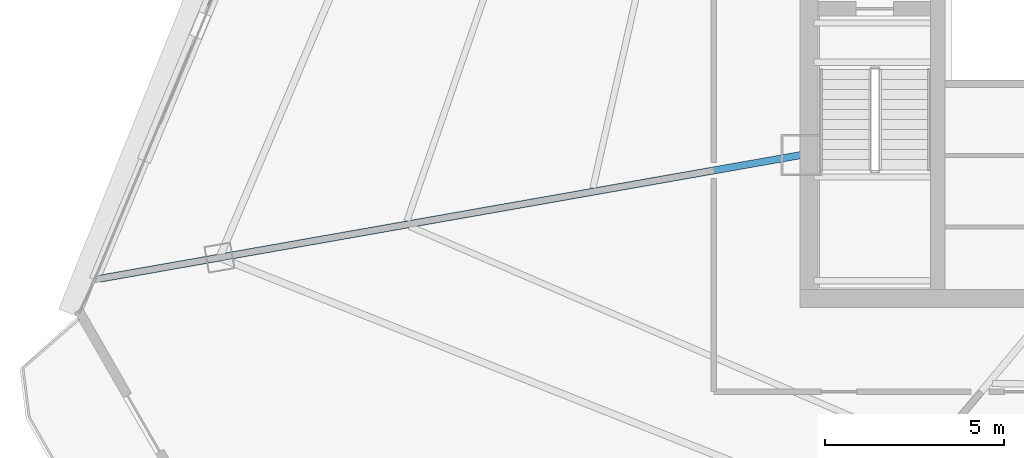
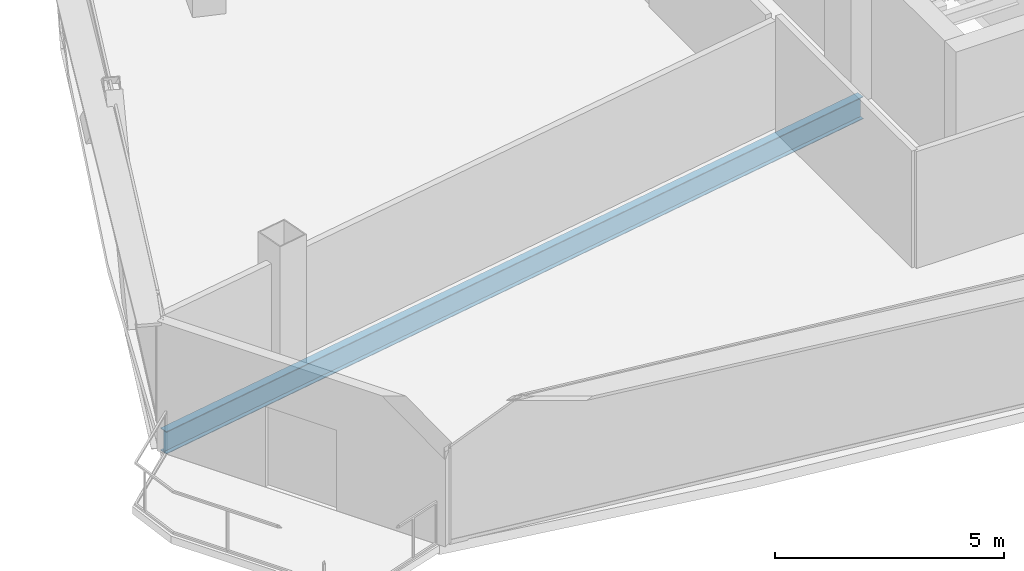
# One storey, part 5 of 37: 1 beam.
"""IFC4 building model written with IfcOpenShell, lengths in metres."""

from ifc_helpers import new_model, si_unit, direction, frame, origin, origin_2d, place, context, subcontext, project, spatial, i_section, extrude, source, transform, mapped, material, material_profile, profile_set, type_object, element, save


model = new_model("IFC4")

# Units and contexts
model_context = context("Model", 3, precision=1e-05, world=origin(), true_north=direction((0.0, 1.0)))
body_context = subcontext(model_context, "Body", "Model", "MODEL_VIEW")
ifc_project = project(units=[si_unit("LENGTHUNIT", "METRE"), si_unit("AREAUNIT", "SQUARE_METRE"), si_unit("VOLUMEUNIT", "CUBIC_METRE"), si_unit("PLANEANGLEUNIT", "RADIAN"), si_unit("MASSUNIT", "GRAM", prefix="KILO"), si_unit("THERMODYNAMICTEMPERATUREUNIT", "KELVIN"), si_unit("POWERUNIT", "WATT")], contexts=[model_context])

# Site, building, storey
site_placement = place(None, origin())
site = spatial("IfcSite", under=ifc_project, at=site_placement, CompositionType="ELEMENT")
building_placement = place(site_placement, origin())
building = spatial("IfcBuilding", under=site, at=building_placement, Name="Yunzhuo Pagoda Commons", CompositionType="ELEMENT")
storey_placement = place(building_placement, frame((0.0, 0.0, 277.56005859375)))
storey = spatial("IfcBuildingStorey", under=building, at=storey_placement, Name="L69", CompositionType="ELEMENT", Elevation=277.56005859375)

# Beam
ifc_material = material(Name="Structural steel Q355B", Category="steel")
ifc_material_profile = material_profile(ifc_material, i_section(OverallWidth=0.199951171875, OverallDepth=0.60009765625, WebThickness=0.010986328125, FlangeThickness=0.01708984375, at=origin_2d()), Name="Structural steel Q355B")
ifc_profile_set = profile_set([ifc_material_profile], Name="Structural steel Q355B")
beam_type = type_object("IfcBeamType", Name="B-RG3 Beam HN 600x200x11x17", PredefinedType="BEAM", material=ifc_profile_set)
shared_shape = source(origin(), body_context, "Body", "SweptSolid", [
    extrude(i_section(OverallWidth=0.199951171875, OverallDepth=0.60009765625, WebThickness=0.010986328125, FlangeThickness=0.01708984375, at=origin_2d()), origin(), (0.0, 0.0, 1.0), 19.89990234375),
])
beam_placement = place(storey_placement, frame((16.00244140625, 28.058349609375, -0.56005859375), z_axis=(0.984812199238, 0.173622959981, 0.0), x_axis=(-0.173622959981, 0.984812199238, 0.0)))
element("IfcBeam", 1, at=beam_placement, inside=storey, type_object=beam_type, Name="L69 radial floor girder F3C4", PredefinedType="BEAM", context=body_context, shape_type="MappedRepresentation", body=[
    mapped(shared_shape, transform((0.0, 0.0, 0.0), scale=1.0)),
])

save(model, "model.ifc")
